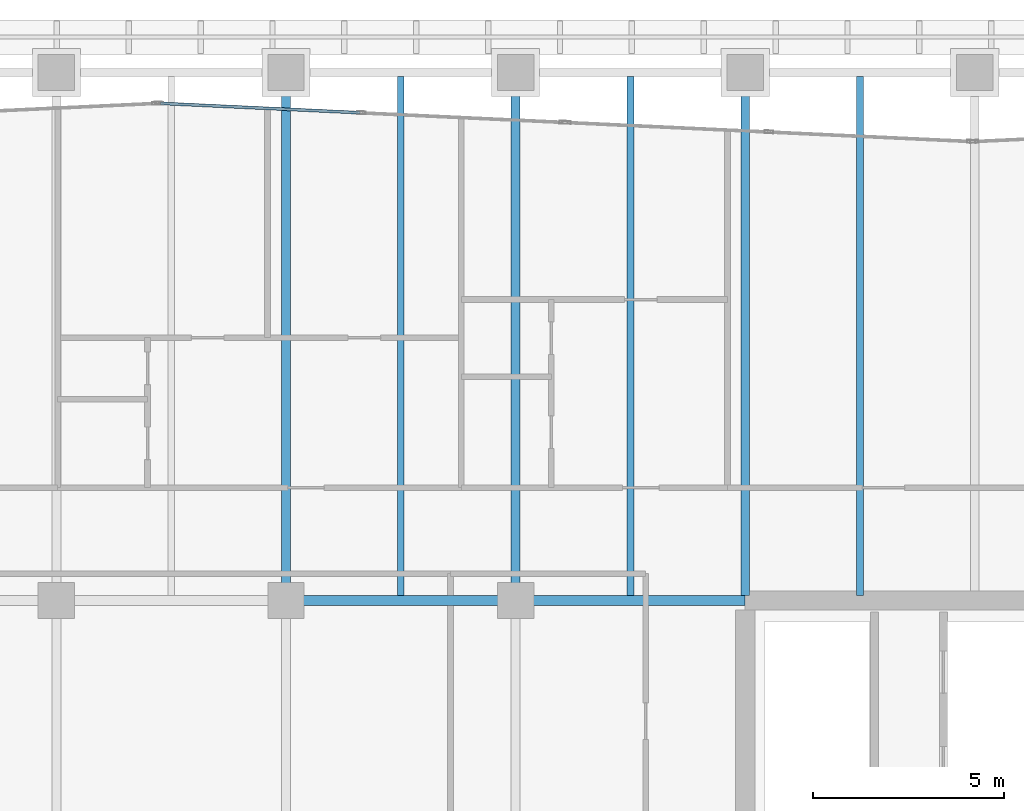
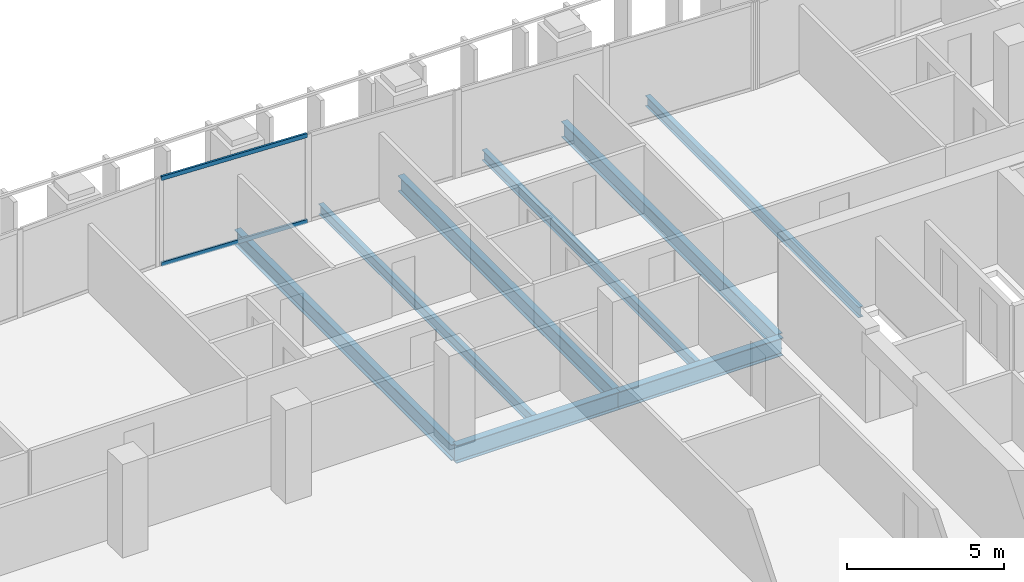
# One storey, part 17 of 39: 8 beams, 2 members, 1 element without a shape of its own.
"""IFC4 building model written with IfcOpenShell, lengths in metres."""

from ifc_helpers import new_model, si_unit, direction, frame, origin, origin_2d, place, context, subcontext, project, spatial, hollow_rectangle, i_section, extrude, material, layer, layer_set, material_profile, profile_set, type_object, element, aggregate, save


model = new_model("IFC4")

# Units and contexts
model_context = context("Model", 3, precision=1e-05, world=origin(), true_north=direction((0.0, 1.0)))
body_context = subcontext(model_context, "Body", "Model", "MODEL_VIEW")
ifc_project = project(units=[si_unit("LENGTHUNIT", "METRE"), si_unit("AREAUNIT", "SQUARE_METRE"), si_unit("VOLUMEUNIT", "CUBIC_METRE"), si_unit("PLANEANGLEUNIT", "RADIAN"), si_unit("MASSUNIT", "GRAM", prefix="KILO")], contexts=[model_context])

# Site, building, storey
site_placement = place(None, origin())
site = spatial("IfcSite", under=ifc_project, at=site_placement, CompositionType="ELEMENT")
building_placement = place(site_placement, origin())
building = spatial("IfcBuilding", under=site, at=building_placement, Name="Tanjung Sevakor Pilgrim Tower", CompositionType="ELEMENT")
storey_placement = place(building_placement, frame((0.0, 0.0, 112.199951171875)))
storey = spatial("IfcBuildingStorey", under=building, at=storey_placement, Name="L31", CompositionType="ELEMENT", Elevation=112.199951171875)

# Beams
ifc_material_1 = material(Name="Steel S355J2", Category="steel")
ifc_material_profile_1 = material_profile(ifc_material_1, i_section(OverallWidth=0.25439453125, OverallDepth=0.6875, WebThickness=0.01318359375, FlangeThickness=0.02099609375, FilletRadius=0.01513671875, at=origin_2d()))
ifc_profile_set_1 = profile_set([ifc_material_profile_1], Name="Steel S355J2")
beam_type_1 = type_object("IfcBeamType", Name="BM-B-G2-UB_686x254x152", PredefinedType="BEAM", material=ifc_profile_set_1)
for number, where, z_axis, x_axis, name in (
    (1, (66.0, 42.60009765625, -0.563720703125), (1.0, 0.0, 0.0), (0.0, 1.0, 0.0), "L31 Primary Floor Girder MAIN Y426-07"),
    (2, (72.0, 42.60009765625, -0.563720703125), (1.0, 0.0, 0.0), (0.0, 1.0, 0.0), "L31 Primary Floor Girder MAIN Y426-08"),
):
    element("IfcBeam", number, at=place(storey_placement, frame(where, z_axis=z_axis, x_axis=x_axis)), inside=storey, type_object=beam_type_1, Name=name, PredefinedType="BEAM", context=body_context, shape_type="SweptSolid", body=[
        extrude(i_section(OverallWidth=0.25439453125, OverallDepth=0.6875, WebThickness=0.01318359375, FlangeThickness=0.02099609375, FilletRadius=0.01513671875, at=origin_2d()), origin(), (0.0, 0.0, 1.0), 6.0),
    ])
ifc_material_2 = material(Name="Steel S355J2", Category="steel")
ifc_material_profile_2 = material_profile(ifc_material_2, i_section(OverallWidth=0.230224609375, OverallDepth=0.6171875, WebThickness=0.01318359375, FlangeThickness=0.022216796875, FilletRadius=0.0126953125, at=origin_2d()))
ifc_profile_set_2 = profile_set([ifc_material_profile_2], Name="Steel S355J2")
beam_type_2 = type_object("IfcBeamType", Name="BM-B-G3-UB_610x229x140", PredefinedType="BEAM", material=ifc_profile_set_2)
for number, where, z_axis, x_axis, name in (
    (3, (66.0, 42.60009765625, -0.528564453125), (0.0, 1.0, 0.0), (-1.0, 0.0, 0.0), "L31 MAIN Girder 029"),
    (4, (72.0, 42.60009765625, -0.528564453125), (0.0, 1.0, 0.0), (-1.0, 0.0, 0.0), "L31 MAIN Girder 034"),
):
    element("IfcBeam", number, at=place(storey_placement, frame(where, z_axis=z_axis, x_axis=x_axis)), inside=storey, type_object=beam_type_2, Name=name, PredefinedType="BEAM", context=body_context, shape_type="SweptSolid", body=[
        extrude(i_section(OverallWidth=0.230224609375, OverallDepth=0.6171875, WebThickness=0.01318359375, FlangeThickness=0.022216796875, FilletRadius=0.0126953125, at=origin_2d()), origin(), (0.0, 0.0, 1.0), 13.7998046875),
    ])
beam_placement = place(storey_placement, frame((78.0, 42.727294921875, -0.528564453125), z_axis=(0.0, 1.0, 0.0), x_axis=(-1.0, 0.0, 0.0)))
element("IfcBeam", 5, at=beam_placement, inside=storey, type_object=beam_type_2, Name="L31 MAIN Girder 038", PredefinedType="BEAM", context=body_context, shape_type="SweptSolid", body=[
    extrude(i_section(OverallWidth=0.230224609375, OverallDepth=0.6171875, WebThickness=0.01318359375, FlangeThickness=0.022216796875, FilletRadius=0.0126953125, at=origin_2d()), origin(), (0.0, 0.0, 1.0), 13.672607421875),
])
ifc_material_3 = material(Name="Steel S355J2", Category="steel")
ifc_material_profile_3 = material_profile(ifc_material_3, i_section(OverallWidth=0.1787109375, OverallDepth=0.409423828125, WebThickness=0.0087890625, FlangeThickness=0.014404296875, FilletRadius=0.01025390625, at=origin_2d()))
ifc_profile_set_3 = profile_set([ifc_material_profile_3], Name="Steel S355J2")
beam_type_3 = type_object("IfcBeamType", Name="BM-B-J3-UB_406x178x67", PredefinedType="JOIST", material=ifc_profile_set_3)
for number, where, z_axis, x_axis, name in (
    (6, (69.0, 42.727294921875, -0.424560546875), (0.0, 1.0, 0.0), (-1.0, 0.0, 0.0), "L31 MAIN Joist 031"),
    (7, (75.0, 42.727294921875, -0.424560546875), (0.0, 1.0, 0.0), (-1.0, 0.0, 0.0), "L31 MAIN Joist 036"),
    (8, (81.0, 42.727294921875, -0.424560546875), (0.0, 1.0, 0.0), (-1.0, 0.0, 0.0), "L31 MAIN Joist 040"),
):
    element("IfcBeam", number, at=place(storey_placement, frame(where, z_axis=z_axis, x_axis=x_axis)), inside=storey, type_object=beam_type_3, Name=name, PredefinedType="JOIST", context=body_context, shape_type="SweptSolid", body=[
        extrude(i_section(OverallWidth=0.1787109375, OverallDepth=0.409423828125, WebThickness=0.0087890625, FlangeThickness=0.014404296875, FilletRadius=0.01025390625, at=origin_2d()), origin(), (0.0, 0.0, 1.0), 13.57275390625),
    ])

# Curtain wall, members
ifc_material_4 = material(Name="Aluminium 6063-T6 and Low-E Glass", Category="aluminium")
ifc_layer = layer(ifc_material_4, 0.199951171875)
ifc_layer_set = layer_set([ifc_layer], Name="CW-SYS-PRAY")
curtain_wall_type = type_object("IfcCurtainWallType", Name="CW-SYS-PRAY", PredefinedType="NOTDEFINED", material=ifc_layer_set)
curtain_wall_placement = place(storey_placement, origin())
curtain_wall = element("IfcCurtainWall", 9, at=curtain_wall_placement, inside=storey, type_object=curtain_wall_type, Name="L31 Curtain Wall CW-PRY-L31-22", PredefinedType="NOTDEFINED")
ifc_material_5 = material(Name="Aluminium 6063-T6", Category="aluminium")
ifc_material_profile_4 = material_profile(ifc_material_5, hollow_rectangle(XDim=0.074951171875, YDim=0.159912109375, WallThickness=0.00439453125, at=origin_2d()))
ifc_profile_set_4 = profile_set([ifc_material_profile_4], Name="Aluminium 6063-T6")
member_type = type_object("IfcMemberType", Name="TYPE-CWT-2", PredefinedType="USERDEFINED", material=ifc_profile_set_4)
member_1_placement = place(storey_placement, frame((67.9345703125, 55.3466796875, 0.03759765625), z_axis=(-0.998899373751, 0.046904595928, 0.0), x_axis=(-0.046904595928, -0.998899373751, 0.0)))
member_1 = element("IfcMember", 10, at=member_1_placement, type_object=member_type, Name="CW-PRY transom 2.1", ObjectType="TRANSOM", PredefinedType="USERDEFINED", context=body_context, shape_type="SweptSolid", body=[
    extrude(hollow_rectangle(XDim=0.074951171875, YDim=0.159912109375, WallThickness=0.00439453125, at=origin_2d()), origin(), (0.0, 0.0, 1.0), 5.215576171875),
])
member_2_placement = place(storey_placement, frame((67.9345703125, 55.3466796875, 3.37255859375), z_axis=(-0.998899373751, 0.046904595928, 0.0), x_axis=(-0.046904595928, -0.998899373751, 0.0)))
member_2 = element("IfcMember", 11, at=member_2_placement, type_object=member_type, Name="CW-PRY transom 2.2", ObjectType="TRANSOM", PredefinedType="USERDEFINED", context=body_context, shape_type="SweptSolid", body=[
    extrude(hollow_rectangle(XDim=0.074951171875, YDim=0.159912109375, WallThickness=0.00439453125, at=origin_2d()), origin(), (0.0, 0.0, 1.0), 5.215576171875),
])
aggregate(curtain_wall, [member_1, member_2])

save(model, "model.ifc")
